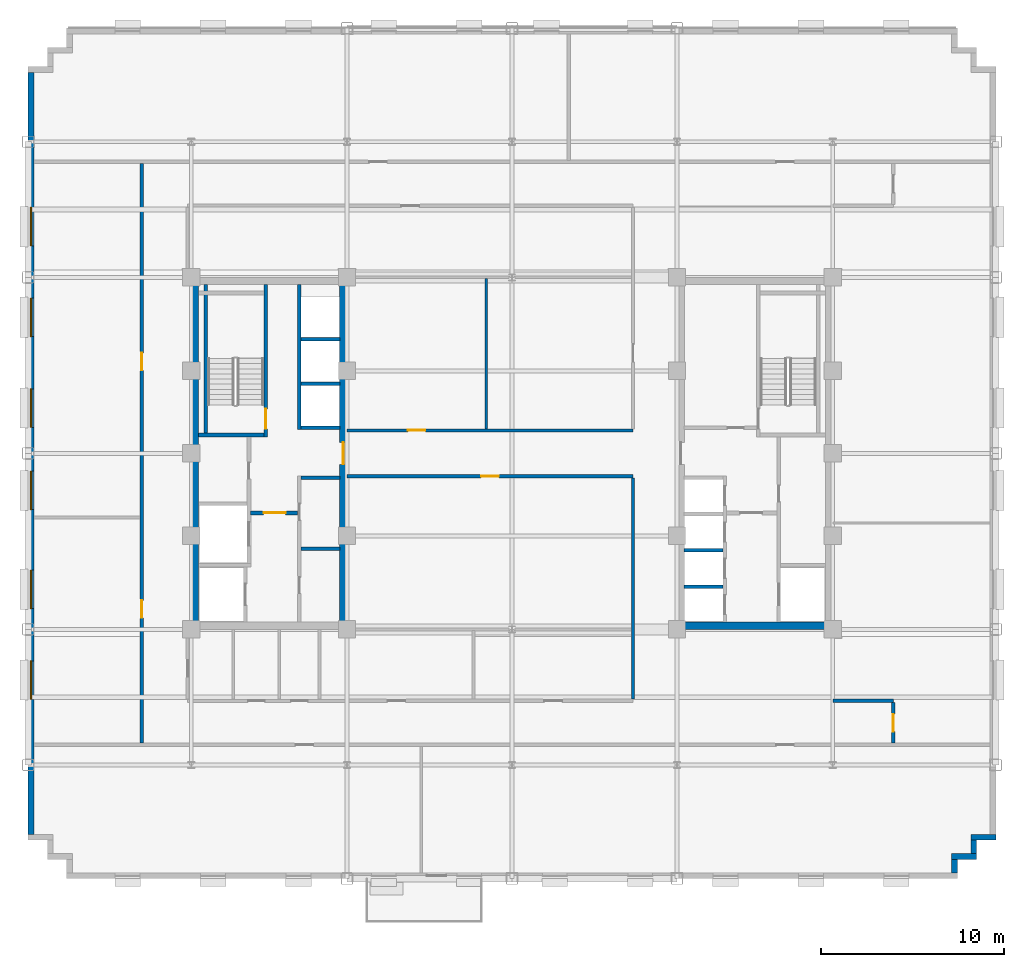
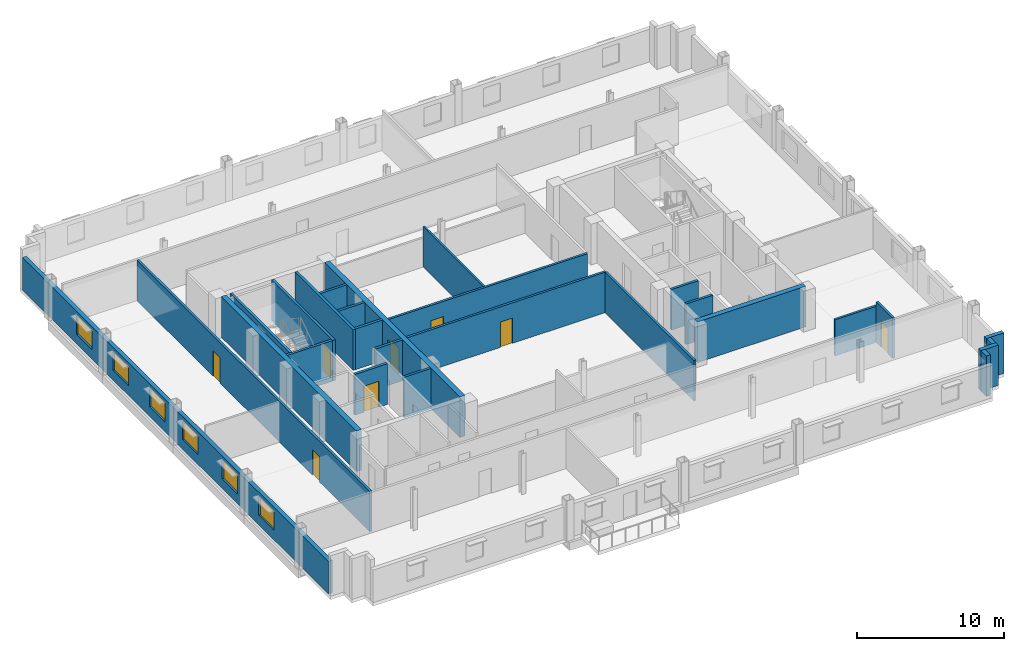
# One storey, part 7 of 14: 27 walls, 8 doors, 6 windows, 14 openings.
"""IFC4 building model written with IfcOpenShell, lengths in metres."""

import ifcopenshell
import ifcopenshell.guid

model = None  # the IFC model being written
_history = None  # IfcOwnerHistory: only IFC2X3 demands one
_inside = {}  # id of a spatial element -> (the spatial element, [elements in it])
_under = {}  # id of a project, library or spatial element -> (it, [spatial elements below it])
_declared = {}  # id of a project -> (the project, [libraries it declares])
_typed = {}  # id of a type object -> (the type object, [elements of that type])
_made_of = {}  # id of a material, layer set ... -> (it, [elements and type objects made of it])


def new_model(schema):
    """Start an empty IFC model of exactly this schema.

    Asked for "IFC4X3", IfcOpenShell would pick the latest addendum, in which some entities
    have other attributes; the version numbers below select the first issue.
    IFC2X3 requires an IfcOwnerHistory on every rooted entity: one is made here for all.
    """
    global model, _history
    if schema == "IFC4X3":
        model = ifcopenshell.file(schema_version=(4, 3, 0, 0))
    else:
        model = ifcopenshell.file(schema=schema)
    _inside.clear()
    _under.clear()
    _declared.clear()
    _typed.clear()
    _made_of.clear()
    _history = None
    if model.schema == "IFC2X3":
        org = make("IfcOrganization", Name="unknown")
        user = make(
            "IfcPersonAndOrganization",
            ThePerson=make("IfcPerson", FamilyName="unknown"),
            TheOrganization=org,
        )
        app = make(
            "IfcApplication",
            ApplicationDeveloper=org,
            Version="unknown",
            ApplicationFullName="unknown",
            ApplicationIdentifier="unknown",
        )
        _history = make(
            "IfcOwnerHistory",
            OwningUser=user,
            OwningApplication=app,
            ChangeAction="ADDED",
            CreationDate=0,
        )
    return model


def make(cls, **values):
    """One entity of the class cls with the attributes given. An attribute that is None is left unset."""
    return model.create_entity(
        cls, **{name: value for name, value in values.items() if value is not None}
    )


def rooted(cls, **values):
    """An entity with a GlobalId (a new one), such as an element, a storey or a relation."""
    return make(cls, GlobalId=ifcopenshell.guid.new(), OwnerHistory=_history, **values)


def si_unit(unit_type, name, prefix=None):
    """IfcSIUnit, for example si_unit("LENGTHUNIT", "METRE", prefix="MILLI")."""
    return make("IfcSIUnit", UnitType=unit_type, Prefix=prefix, Name=name)


def assignment(units):
    """IfcUnitAssignment: the units of a project."""
    return None if units is None else make("IfcUnitAssignment", Units=units)


def point(xyz):
    """IfcCartesianPoint."""
    return None if xyz is None else make("IfcCartesianPoint", Coordinates=xyz)


def direction(xyz):
    """IfcDirection."""
    return None if xyz is None else make("IfcDirection", DirectionRatios=xyz)


def frame(location, z_axis=None, x_axis=None):
    """IfcAxis2Placement3D, a coordinate frame: its origin and axes. An axis left out is left unset."""
    return make(
        "IfcAxis2Placement3D",
        Location=point(location),
        Axis=direction(z_axis),
        RefDirection=direction(x_axis),
    )


def frame_2d(location, x_axis=None):
    """IfcAxis2Placement2D, a coordinate frame in the plane: its origin and x axis."""
    return make(
        "IfcAxis2Placement2D", Location=point(location), RefDirection=direction(x_axis)
    )


def origin():
    """The frame at (0, 0, 0) with its axes left unset."""
    return frame((0.0, 0.0, 0.0))


def place(relative_to, where):
    """IfcLocalPlacement: puts the frame where relative to a parent placement (None: the world)."""
    return make(
        "IfcLocalPlacement", PlacementRelTo=relative_to, RelativePlacement=where
    )


def context(
    kind, dimensions, precision=None, world=None, true_north=None, identifier=None
):
    """IfcGeometricRepresentationContext, for example the 3D "Model" context."""
    return make(
        "IfcGeometricRepresentationContext",
        ContextIdentifier=identifier,
        ContextType=kind,
        CoordinateSpaceDimension=dimensions,
        Precision=precision,
        WorldCoordinateSystem=world,
        TrueNorth=true_north,
    )


def subcontext(parent, identifier, kind, view, scale=None):
    """IfcGeometricRepresentationSubContext, for example "Body" below "Model"."""
    return make(
        "IfcGeometricRepresentationSubContext",
        ContextIdentifier=identifier,
        ContextType=kind,
        ParentContext=parent,
        TargetScale=scale,
        TargetView=view,
    )


def project(units=None, contexts=None):
    """IfcProject with its units and contexts."""
    return rooted(
        "IfcProject",
        Name="project",
        RepresentationContexts=contexts,
        UnitsInContext=assignment(units),
    )


def spatial(cls, under=None, at=None, **own):
    """A site, building, storey or space (cls), placed at a placement, below another one or the project."""
    s = rooted(cls, ObjectPlacement=at, **own)
    if under is not None:
        _under.setdefault(under.id(), (under, []))[1].append(s)
    return s


def profile(cls, at=None, kind="AREA", **sizes):
    """A parametric profile (cls). Its sizes go by their IFC names, for example OverallWidth=200.0."""
    return make(cls, ProfileType=kind, Position=at, **sizes)


def rectangle(**sizes):
    """IfcRectangleProfileDef."""
    return profile("IfcRectangleProfileDef", **sizes)


def extrude(swept, where, along, depth):
    """IfcExtrudedAreaSolid: the profile swept, set in the frame where, extruded along a direction by depth."""
    return make(
        "IfcExtrudedAreaSolid",
        SweptArea=swept,
        Position=where,
        ExtrudedDirection=direction(along),
        Depth=depth,
    )


def shape(context_of_items, identifier, shape_type, items):
    """IfcShapeRepresentation: the items that make up one representation, for example the "Body"."""
    return make(
        "IfcShapeRepresentation",
        ContextOfItems=context_of_items,
        RepresentationIdentifier=identifier,
        RepresentationType=shape_type,
        Items=items,
    )


def source(mapping_origin, context_of_items, identifier, shape_type, items):
    """IfcRepresentationMap: a shape defined once, which mapped items show again and again."""
    return make(
        "IfcRepresentationMap",
        MappingOrigin=mapping_origin,
        MappedRepresentation=shape(context_of_items, identifier, shape_type, items),
    )


def transform(
    local_origin,
    x_axis=None,
    y_axis=None,
    z_axis=None,
    scale=None,
    scale2=None,
    scale3=None,
    uniform=True,
):
    """IfcCartesianTransformationOperator3D, or its non-uniform kind. x_axis, y_axis, z_axis: its Axis1, 2, 3."""
    if uniform:
        return make(
            "IfcCartesianTransformationOperator3D",
            Axis1=direction(x_axis),
            Axis2=direction(y_axis),
            LocalOrigin=point(local_origin),
            Scale=scale,
            Axis3=direction(z_axis),
        )
    return make(
        "IfcCartesianTransformationOperator3DnonUniform",
        Axis1=direction(x_axis),
        Axis2=direction(y_axis),
        LocalOrigin=point(local_origin),
        Scale=scale,
        Axis3=direction(z_axis),
        Scale2=scale2,
        Scale3=scale3,
    )


def mapped(mapping_source, mapping_target):
    """IfcMappedItem: shows the shape of a source again, moved by a transform."""
    return make(
        "IfcMappedItem", MappingSource=mapping_source, MappingTarget=mapping_target
    )


def material(Name=None, Category=None):
    """IfcMaterial."""
    return make("IfcMaterial", Name=Name, Category=Category)


def layer(
    of_material, thickness, ventilated=None, Name=None, Category=None, Priority=None
):
    """IfcMaterialLayer: one layer of a wall or slab, of a material (None: an air gap)."""
    return make(
        "IfcMaterialLayer",
        Material=of_material,
        LayerThickness=thickness,
        IsVentilated=ventilated,
        Name=Name,
        Category=Category,
        Priority=Priority,
    )


def layer_set(layers, Name=None):
    """IfcMaterialLayerSet."""
    return make("IfcMaterialLayerSet", MaterialLayers=layers, LayerSetName=Name)


def made_of(thing, what):
    """Note that an element or type object is made of a material, layer set ...; save() writes the relation."""
    if what is not None:
        _made_of.setdefault(what.id(), (what, []))[1].append(thing)
    return thing


def type_object(cls, material=None, **own):
    """A type object (cls), such as IfcWallType, which elements share."""
    return made_of(rooted(cls, **own), material)


def type_shapes(of_type, sources):
    """Give a type object the sources (RepresentationMaps) that its elements show as mapped items."""
    of_type.RepresentationMaps = sources


def element(
    cls,
    number,
    at=None,
    inside=None,
    cuts=None,
    type_object=None,
    material=None,
    context=None,
    identifier="Body",
    shape_type=None,
    held_by="IfcProductDefinitionShape",
    body=None,
    shapes=None,
    **own,
):
    """One element of the class cls, such as IfcWall. Its Tag is "e" and its number.

    at: its placement. inside: the storey or other place that contains it. cuts: it is an
    opening in that element (IfcRelVoidsElement). A single representation is given by context,
    identifier, shape_type and body (its items); several are given by shapes. held_by: the class
    of the entity that holds the representations. save() writes the other relations.
    """
    e = rooted(cls, Tag="e%d" % number, ObjectPlacement=at, **own)
    if body is not None:
        shapes = [shape(context, identifier, shape_type, body)]
    if shapes is not None:
        e.Representation = make(held_by, Representations=shapes)
    if inside is not None:
        _inside.setdefault(inside.id(), (inside, []))[1].append(e)
    if cuts is not None:
        rooted(
            "IfcRelVoidsElement", RelatingBuildingElement=cuts, RelatedOpeningElement=e
        )
    if type_object is not None:
        _typed.setdefault(type_object.id(), (type_object, []))[1].append(e)
    return made_of(e, material)


def fill(opening, filler):
    """IfcRelFillsElement: the door or window that sits in an opening."""
    return rooted(
        "IfcRelFillsElement",
        RelatingOpeningElement=opening,
        RelatedBuildingElement=filler,
    )


def aggregate(whole, parts):
    """IfcRelAggregates: a whole, such as a stair, and the parts it consists of."""
    return rooted("IfcRelAggregates", RelatingObject=whole, RelatedObjects=parts)


def save(model, path):
    """Write the relations noted so far, then the file.

    IfcRelAggregates (storeys below a building ...), IfcRelContainedInSpatialStructure (elements
    in a storey), IfcRelDefinesByType, IfcRelAssociatesMaterial and IfcRelDeclares: one each for
    every whole, place, type object, material and project.
    """
    for whole, parts in _under.values():
        aggregate(whole, parts)
    for where, things in _inside.values():
        rooted(
            "IfcRelContainedInSpatialStructure",
            RelatedElements=things,
            RelatingStructure=where,
        )
    for kind, things in _typed.values():
        rooted("IfcRelDefinesByType", RelatedObjects=things, RelatingType=kind)
    for what, things in _made_of.values():
        rooted("IfcRelAssociatesMaterial", RelatedObjects=things, RelatingMaterial=what)
    for by, libraries in _declared.values():
        rooted("IfcRelDeclares", RelatingContext=by, RelatedDefinitions=libraries)
    model.write(path)


model = new_model("IFC4")

# Units and contexts
model_context = context("Model", 3, precision=1e-05, world=origin(), true_north=direction((0.0, 1.0)))
body_context = subcontext(model_context, "Body", "Model", "MODEL_VIEW")
ifc_project = project(units=[si_unit("LENGTHUNIT", "METRE"), si_unit("AREAUNIT", "SQUARE_METRE"), si_unit("VOLUMEUNIT", "CUBIC_METRE"), si_unit("PLANEANGLEUNIT", "RADIAN"), si_unit("MASSUNIT", "GRAM", prefix="KILO")], contexts=[model_context])

# Site, building, storey
site_placement = place(None, origin())
site = spatial("IfcSite", under=ifc_project, at=site_placement, CompositionType="ELEMENT")
building_placement = place(site_placement, origin())
building = spatial("IfcBuilding", under=site, at=building_placement, Name="Nuvemarco Arch Tower", CompositionType="ELEMENT")
storey_placement = place(building_placement, frame((0.0, 0.0, 134.800048828125)))
storey = spatial("IfcBuildingStorey", under=building, at=storey_placement, Name="L35", CompositionType="ELEMENT", Elevation=134.800048828125)

# Walls
ifc_material_1 = material(Name="Precast concrete C45/55", Category="concrete")
ifc_layer_1 = layer(ifc_material_1, 0.320068359375, Name="EW-MID-320")
ifc_layer_set_1 = layer_set([ifc_layer_1], Name="Precast concrete C45/55")
wall_type_1 = type_object("IfcWallType", Name="EW-MID-320", PredefinedType="STANDARD", material=ifc_layer_set_1)
wall_1_placement = place(storey_placement, frame((24.139892578125, -22.884033203125, 0.0), z_axis=(0.0, 0.0, 1.0), x_axis=(0.0, 1.0, 0.0)))
element("IfcWall", 1, at=wall_1_placement, inside=storey, type_object=wall_type_1, Name="L35 exterior precast facade wall 2", PredefinedType="STANDARD", context=body_context, shape_type="SweptSolid", body=[
    extrude(rectangle(XDim=0.738037109375, YDim=0.320068359375, at=frame_2d((0.369140625, 0.0))), origin(), (0.0, 0.0, 1.0), 3.35986328125),
])
wall_2_placement = place(storey_placement, frame((23.97998046875, -21.989990234375, 0.0), z_axis=(0.0, 0.0, 1.0), x_axis=(1.0, 0.0, 0.0)))
element("IfcWall", 2, at=wall_2_placement, inside=storey, type_object=wall_type_1, Name="L35 exterior precast facade wall 3", PredefinedType="STANDARD", context=body_context, shape_type="SweptSolid", body=[
    extrude(rectangle(XDim=1.3701171875, YDim=0.320068359375, at=frame_2d((0.68505859375, 0.0))), origin(), (0.0, 0.0, 1.0), 3.35986328125),
])
wall_3_placement = place(storey_placement, frame((25.18994140625, -21.833984375, 0.0), z_axis=(0.0, 0.0, 1.0), x_axis=(0.0, 1.0, 0.0)))
element("IfcWall", 3, at=wall_3_placement, inside=storey, type_object=wall_type_1, Name="L35 exterior precast facade wall 4", PredefinedType="STANDARD", context=body_context, shape_type="SweptSolid", body=[
    extrude(rectangle(XDim=0.738037109375, YDim=0.320068359375, at=frame_2d((0.369140625, 0.0))), origin(), (0.0, 0.0, 1.0), 3.35986328125),
])
wall_4_placement = place(storey_placement, frame((25.030029296875, -20.93994140625, 0.0), z_axis=(0.0, 0.0, 1.0), x_axis=(1.0, 0.0, 0.0)))
element("IfcWall", 4, at=wall_4_placement, inside=storey, type_object=wall_type_1, Name="L35 exterior precast facade wall 5", PredefinedType="STANDARD", context=body_context, shape_type="SweptSolid", body=[
    extrude(rectangle(XDim=1.369873046875, YDim=0.320068359375, at=frame_2d((0.68505859375, 0.0))), origin(), (0.0, 0.0, 1.0), 3.35986328125),
])

# Wall, openings, windows
wall_5_placement = place(storey_placement, frame((-26.239990234375, -20.783935546875, 0.0), z_axis=(0.0, 0.0, 1.0), x_axis=(0.0, 1.0, 0.0)))
wall_5 = element("IfcWall", 5, at=wall_5_placement, inside=storey, type_object=wall_type_1, Name="L35 exterior precast facade wall 16", PredefinedType="STANDARD", context=body_context, shape_type="SweptSolid", body=[
    extrude(rectangle(XDim=41.56787109375, YDim=0.320068359375, at=frame_2d((20.783935546875, 0.0))), origin(), (0.0, 0.0, 1.0), 2.704833984375),
])
opening_1_placement = place(wall_5_placement, frame((7.368896484375, 0.0, 0.800048828125)))
opening_1 = element("IfcOpeningElement", 6, at=opening_1_placement, cuts=wall_5, Name="Opening WN-5", PredefinedType="OPENING", context=body_context, shape_type="SweptSolid", body=[
    extrude(rectangle(XDim=2.10009765625, YDim=1.56005859375, at=frame_2d((1.050048828125, 0.780029296875))), frame((0.0, 0.169921875, 0.0), z_axis=(0.0, -1.0, 0.0), x_axis=(1.0, 0.0, 0.0)), (0.0, 0.0, 1.0), 0.340087890625),
])
opening_2_placement = place(wall_5_placement, frame((12.31494140625, 0.0, 0.800048828125)))
opening_2 = element("IfcOpeningElement", 7, at=opening_2_placement, cuts=wall_5, Name="Opening WN-5", PredefinedType="OPENING", context=body_context, shape_type="SweptSolid", body=[
    extrude(rectangle(XDim=2.10009765625, YDim=1.56005859375, at=frame_2d((1.050048828125, 0.780029296875))), frame((0.0, 0.169921875, 0.0), z_axis=(0.0, -1.0, 0.0), x_axis=(1.0, 0.0, 0.0)), (0.0, 0.0, 1.0), 0.340087890625),
])
opening_3_placement = place(wall_5_placement, frame((17.7109375, 0.0, 0.800048828125)))
opening_3 = element("IfcOpeningElement", 8, at=opening_3_placement, cuts=wall_5, Name="Opening WN-5", PredefinedType="OPENING", context=body_context, shape_type="SweptSolid", body=[
    extrude(rectangle(XDim=2.10009765625, YDim=1.56005859375, at=frame_2d((1.050048828125, 0.780029296875))), frame((0.0, 0.169921875, 0.0), z_axis=(0.0, -1.0, 0.0), x_axis=(1.0, 0.0, 0.0)), (0.0, 0.0, 1.0), 0.340087890625),
])
opening_4_placement = place(wall_5_placement, frame((22.20703125, 0.0, 0.800048828125)))
opening_4 = element("IfcOpeningElement", 9, at=opening_4_placement, cuts=wall_5, Name="Opening WN-5", PredefinedType="OPENING", context=body_context, shape_type="SweptSolid", body=[
    extrude(rectangle(XDim=2.10009765625, YDim=1.56005859375, at=frame_2d((1.050048828125, 0.780029296875))), frame((0.0, 0.169921875, 0.0), z_axis=(0.0, -1.0, 0.0), x_axis=(1.0, 0.0, 0.0)), (0.0, 0.0, 1.0), 0.340087890625),
])
opening_5_placement = place(wall_5_placement, frame((27.153076171875, 0.0, 0.800048828125)))
opening_5 = element("IfcOpeningElement", 10, at=opening_5_placement, cuts=wall_5, Name="Opening WN-5", PredefinedType="OPENING", context=body_context, shape_type="SweptSolid", body=[
    extrude(rectangle(XDim=2.10009765625, YDim=1.56005859375, at=frame_2d((1.050048828125, 0.780029296875))), frame((0.0, 0.169921875, 0.0), z_axis=(0.0, -1.0, 0.0), x_axis=(1.0, 0.0, 0.0)), (0.0, 0.0, 1.0), 0.340087890625),
])
opening_6_placement = place(wall_5_placement, frame((32.09912109375, 0.0, 0.800048828125)))
opening_6 = element("IfcOpeningElement", 11, at=opening_6_placement, cuts=wall_5, Name="Opening WN-5", PredefinedType="OPENING", context=body_context, shape_type="SweptSolid", body=[
    extrude(rectangle(XDim=2.10009765625, YDim=1.56005859375, at=frame_2d((1.050048828125, 0.780029296875))), frame((0.0, 0.169921875, 0.0), z_axis=(0.0, -1.0, 0.0), x_axis=(1.0, 0.0, 0.0)), (0.0, 0.0, 1.0), 0.340087890625),
])
ifc_material_2 = material(Name="Insulated solar-control glass", Category="glass")
window_type = type_object("IfcWindowType", Name="WN-MID-2100x1560", PartitioningType="DOUBLE_PANEL_VERTICAL", PredefinedType="WINDOW", material=ifc_material_2)
shared_shape_1 = source(origin(), body_context, "Body", "SweptSolid", [
    extrude(rectangle(XDim=2.10009765625, YDim=1.56005859375, at=frame_2d((1.050048828125, 0.780029296875))), frame((0.0, 0.030029296875, 0.0), z_axis=(0.0, -1.0, 0.0), x_axis=(1.0, 0.0, 0.0)), (0.0, 0.0, 1.0), 0.06005859375),
])
type_shapes(window_type, [shared_shape_1])
window_1_placement = place(opening_1_placement, origin())
window_1 = element("IfcWindow", 12, at=window_1_placement, inside=storey, type_object=window_type, Name="L35 punched facade window 2", OverallHeight=1.56005859375, OverallWidth=2.10009765625, PartitioningType="SINGLE_PANEL", PredefinedType="WINDOW", context=body_context, shape_type="MappedRepresentation", body=[
    mapped(shared_shape_1, transform((0.0, 0.0, 0.0), scale=1.0)),
])
fill(opening_1, window_1)
window_2_placement = place(opening_2_placement, origin())
window_2 = element("IfcWindow", 13, at=window_2_placement, inside=storey, type_object=window_type, Name="L35 punched facade window 3", OverallHeight=1.56005859375, OverallWidth=2.10009765625, PartitioningType="SINGLE_PANEL", PredefinedType="WINDOW", context=body_context, shape_type="MappedRepresentation", body=[
    mapped(shared_shape_1, transform((0.0, 0.0, 0.0), scale=1.0)),
])
fill(opening_2, window_2)
window_3_placement = place(opening_3_placement, origin())
window_3 = element("IfcWindow", 14, at=window_3_placement, inside=storey, type_object=window_type, Name="L35 punched facade window 4", OverallHeight=1.56005859375, OverallWidth=2.10009765625, PartitioningType="SINGLE_PANEL", PredefinedType="WINDOW", context=body_context, shape_type="MappedRepresentation", body=[
    mapped(shared_shape_1, transform((0.0, 0.0, 0.0), scale=1.0)),
])
fill(opening_3, window_3)
window_4_placement = place(opening_4_placement, origin())
window_4 = element("IfcWindow", 15, at=window_4_placement, inside=storey, type_object=window_type, Name="L35 punched facade window 5", OverallHeight=1.56005859375, OverallWidth=2.10009765625, PartitioningType="SINGLE_PANEL", PredefinedType="WINDOW", context=body_context, shape_type="MappedRepresentation", body=[
    mapped(shared_shape_1, transform((0.0, 0.0, 0.0), scale=1.0)),
])
fill(opening_4, window_4)
window_5_placement = place(opening_5_placement, origin())
window_5 = element("IfcWindow", 16, at=window_5_placement, inside=storey, type_object=window_type, Name="L35 punched facade window 6", OverallHeight=1.56005859375, OverallWidth=2.10009765625, PartitioningType="SINGLE_PANEL", PredefinedType="WINDOW", context=body_context, shape_type="MappedRepresentation", body=[
    mapped(shared_shape_1, transform((0.0, 0.0, 0.0), scale=1.0)),
])
fill(opening_5, window_5)
window_6_placement = place(opening_6_placement, origin())
window_6 = element("IfcWindow", 17, at=window_6_placement, inside=storey, type_object=window_type, Name="L35 punched facade window 7", OverallHeight=1.56005859375, OverallWidth=2.10009765625, PartitioningType="SINGLE_PANEL", PredefinedType="WINDOW", context=body_context, shape_type="MappedRepresentation", body=[
    mapped(shared_shape_1, transform((0.0, 0.0, 0.0), scale=1.0)),
])
fill(opening_6, window_6)

# Wall
ifc_material_3 = material(Name="Concrete C60/75", Category="concrete")
ifc_layer_2 = layer(ifc_material_3, 0.39990234375, Name="WL-CORE-400")
ifc_layer_set_2 = layer_set([ifc_layer_2], Name="Concrete C60/75")
wall_type_2 = type_object("IfcWallType", Name="WL-CORE-400", PredefinedType="SHEAR", material=ifc_layer_set_2)
wall_6_placement = place(storey_placement, frame((-17.300048828125, -9.205078125, 0.0), z_axis=(0.0, 0.0, 1.0), x_axis=(0.0, 1.0, 0.0)))
element("IfcWall", 18, at=wall_6_placement, inside=storey, type_object=wall_type_2, Name="L35 W-core shear wall W", PredefinedType="SHEAR", context=body_context, shape_type="SweptSolid", body=[
    extrude(rectangle(XDim=18.41015625, YDim=0.39990234375, at=frame_2d((9.205078125, 0.0))), origin(), (0.0, 0.0, 1.0), 3.369873046875),
])

# Wall, opening, door
wall_7_placement = place(storey_placement, frame((-9.199951171875, -9.205078125, 0.0), z_axis=(0.0, 0.0, 1.0), x_axis=(0.0, 1.0, 0.0)))
wall_7 = element("IfcWall", 19, at=wall_7_placement, inside=storey, type_object=wall_type_2, Name="L35 W-core shear wall E", PredefinedType="SHEAR", context=body_context, shape_type="SweptSolid", body=[
    extrude(rectangle(XDim=18.41015625, YDim=0.39990234375, at=frame_2d((9.205078125, 0.0))), origin(), (0.0, 0.0, 1.0), 3.369873046875),
])
opening_7_placement = place(wall_7_placement, frame((8.60498046875, 0.0, 0.0)))
opening_7 = element("IfcOpeningElement", 20, at=opening_7_placement, cuts=wall_7, Name="Opening FD-2", PredefinedType="OPENING", context=body_context, shape_type="SweptSolid", body=[
    extrude(rectangle(XDim=1.199951171875, YDim=2.14990234375, at=frame_2d((0.60009765625, 1.074951171875))), frame((0.0, 0.2099609375, 0.0), z_axis=(0.0, -1.0, 0.0), x_axis=(1.0, 0.0, 0.0)), (0.0, 0.0, 1.0), 0.419921875),
])
ifc_material_4 = material(Name="Anodised steel fire door", Category="steel")
door_type_1 = type_object("IfcDoorType", Name="DR-FFLOB-FD", OperationType="NOTDEFINED", PredefinedType="DOOR", material=ifc_material_4)
shared_shape_2 = source(origin(), body_context, "Body", "SweptSolid", [
    extrude(rectangle(XDim=1.199951171875, YDim=2.14990234375, at=frame_2d((0.60009765625, 1.074951171875))), frame((0.0, 0.02490234375, 0.0), z_axis=(0.0, -1.0, 0.0), x_axis=(1.0, 0.0, 0.0)), (0.0, 0.0, 1.0), 0.050048828125),
])
type_shapes(door_type_1, [shared_shape_2])
door_1_placement = place(opening_7_placement, origin())
door_1 = element("IfcDoor", 21, at=door_1_placement, inside=storey, type_object=door_type_1, Name="L35 door FD-L35-WCORE-E", OperationType="SINGLE_SWING_LEFT", OverallHeight=2.14990234375, OverallWidth=1.199951171875, PredefinedType="DOOR", context=body_context, shape_type="MappedRepresentation", body=[
    mapped(shared_shape_2, transform((0.0, 0.0, 0.0), scale=1.0)),
])
fill(opening_7, door_1)

# Walls
wall_8_placement = place(storey_placement, frame((9.0, -9.39990234375, 0.0), z_axis=(0.0, 0.0, 1.0), x_axis=(1.0, 0.0, 0.0)))
element("IfcWall", 22, at=wall_8_placement, inside=storey, type_object=wall_type_2, Name="L35 E-core shear wall S", PredefinedType="SHEAR", context=body_context, shape_type="SweptSolid", body=[
    extrude(rectangle(XDim=8.5, YDim=0.39990234375, at=frame_2d((4.25, 0.0))), origin(), (0.0, 0.0, 1.0), 3.369873046875),
])
ifc_material_5 = material(Name="Fire-rated gypsum drywall partition")
ifc_layer_3 = layer(ifc_material_5, 0.179931640625, Name="WL-CORR-180")
ifc_layer_set_3 = layer_set([ifc_layer_3], Name="Fire-rated gypsum drywall partition")
wall_type_3 = type_object("IfcWallType", Name="WL-CORR-180", PredefinedType="PARTITIONING", material=ifc_layer_set_3)
wall_9_placement = place(storey_placement, frame((-11.5048828125, -5.199951171875, 0.0), z_axis=(0.0, 0.0, 1.0), x_axis=(1.0, 0.0, 0.0)))
element("IfcWall", 23, at=wall_9_placement, inside=storey, type_object=wall_type_3, Name="L35 interior wall IW-L35-W-RECK1", PredefinedType="PARTITIONING", context=body_context, shape_type="SweptSolid", body=[
    extrude(rectangle(XDim=2.10986328125, YDim=0.179931640625, at=frame_2d((1.054931640625, 0.0))), origin(), (0.0, 0.0, 1.0), 3.35986328125),
])
wall_10_placement = place(storey_placement, frame((17.5, -13.5, 0.0), z_axis=(0.0, 0.0, 1.0), x_axis=(1.0, 0.0, 0.0)))
element("IfcWall", 24, at=wall_10_placement, inside=storey, type_object=wall_type_3, Name="L35 interior wall IW-L35-003", PredefinedType="PARTITIONING", context=body_context, shape_type="SweptSolid", body=[
    extrude(rectangle(XDim=3.300048828125, YDim=0.179931640625, at=frame_2d((1.64990234375, 0.0))), origin(), (0.0, 0.0, 1.0), 2.998046875),
])

# Wall, opening, door
wall_11_placement = place(storey_placement, frame((-9.0, -1.25, 0.0), z_axis=(0.0, 0.0, 1.0), x_axis=(1.0, 0.0, 0.0)))
wall_11 = element("IfcWall", 25, at=wall_11_placement, inside=storey, type_object=wall_type_3, Name="L35 interior wall IW-L35-008", PredefinedType="PARTITIONING", context=body_context, shape_type="SweptSolid", body=[
    extrude(rectangle(XDim=15.60009765625, YDim=0.179931640625, at=frame_2d((7.800048828125, 0.0))), origin(), (0.0, 0.0, 1.0), 3.35986328125),
])
opening_8_placement = place(wall_11_placement, frame((7.320068359375, 0.0, 0.0)))
opening_8 = element("IfcOpeningElement", 26, at=opening_8_placement, cuts=wall_11, Name="Opening FD-5", PredefinedType="OPENING", context=body_context, shape_type="SweptSolid", body=[
    extrude(rectangle(XDim=0.9599609375, YDim=2.10009765625, at=frame_2d((0.47998046875, 1.050048828125))), frame((0.0, 0.099853515625, 0.0), z_axis=(0.0, -1.0, 0.0), x_axis=(1.0, 0.0, 0.0)), (0.0, 0.0, 1.0), 0.199951171875),
])
ifc_material_6 = material(Name="Timber fire door", Category="wood")
door_type_2 = type_object("IfcDoorType", Name="DR-CORR-FD", OperationType="NOTDEFINED", PredefinedType="DOOR", material=ifc_material_6)
shared_shape_3 = source(origin(), body_context, "Body", "SweptSolid", [
    extrude(rectangle(XDim=0.9599609375, YDim=2.10009765625, at=frame_2d((0.47998046875, 1.050048828125))), frame((0.0, 0.02490234375, 0.0), z_axis=(0.0, -1.0, 0.0), x_axis=(1.0, 0.0, 0.0)), (0.0, 0.0, 1.0), 0.050048828125),
])
type_shapes(door_type_2, [shared_shape_3])
door_2_placement = place(opening_8_placement, origin())
door_2 = element("IfcDoor", 27, at=door_2_placement, inside=storey, type_object=door_type_2, Name="L35 door DR-L35-C_S1", OperationType="SINGLE_SWING_LEFT", OverallHeight=2.10009765625, OverallWidth=0.9599609375, PredefinedType="DOOR", context=body_context, shape_type="MappedRepresentation", body=[
    mapped(shared_shape_3, transform((0.0, 0.0, 0.0), scale=1.0)),
])
fill(opening_8, door_2)

wall_12_placement = place(storey_placement, frame((-9.0, 1.25, 0.0), z_axis=(0.0, 0.0, 1.0), x_axis=(1.0, 0.0, 0.0)))
wall_12 = element("IfcWall", 28, at=wall_12_placement, inside=storey, type_object=wall_type_3, Name="L35 interior wall IW-L35-009", PredefinedType="PARTITIONING", context=body_context, shape_type="SweptSolid", body=[
    extrude(rectangle(XDim=15.60009765625, YDim=0.179931640625, at=frame_2d((7.800048828125, 0.0))), origin(), (0.0, 0.0, 1.0), 3.35986328125),
])
opening_9_placement = place(wall_12_placement, frame((3.320068359375, 0.0, 0.0)))
opening_9 = element("IfcOpeningElement", 29, at=opening_9_placement, cuts=wall_12, Name="Opening FD-5", PredefinedType="OPENING", context=body_context, shape_type="SweptSolid", body=[
    extrude(rectangle(XDim=0.9599609375, YDim=2.10009765625, at=frame_2d((0.47998046875, 1.050048828125))), frame((0.0, 0.099853515625, 0.0), z_axis=(0.0, -1.0, 0.0), x_axis=(1.0, 0.0, 0.0)), (0.0, 0.0, 1.0), 0.199951171875),
])
door_3_placement = place(opening_9_placement, origin())
door_3 = element("IfcDoor", 30, at=door_3_placement, inside=storey, type_object=door_type_2, Name="L35 door DR-L35-C_N1", OperationType="SINGLE_SWING_LEFT", OverallHeight=2.10009765625, OverallWidth=0.9599609375, PredefinedType="DOOR", context=body_context, shape_type="MappedRepresentation", body=[
    mapped(shared_shape_3, transform((0.0, 0.0, 0.0), scale=1.0)),
])
fill(opening_9, door_3)

# Wall, openings, doors
wall_13_placement = place(storey_placement, frame((-20.199951171875, -15.81396484375, 0.0), z_axis=(0.0, 0.0, 1.0), x_axis=(0.0, 1.0, 0.0)))
wall_13 = element("IfcWall", 31, at=wall_13_placement, inside=storey, type_object=wall_type_3, Name="L35 interior wall IW-L35-015", PredefinedType="PARTITIONING", context=body_context, shape_type="SweptSolid", body=[
    extrude(rectangle(XDim=31.6279296875, YDim=0.179931640625, at=frame_2d((15.81396484375, 0.0))), origin(), (0.0, 0.0, 1.0), 3.35986328125),
])
opening_10_placement = place(wall_13_placement, frame((20.333984375, 0.0, 0.0)))
opening_10 = element("IfcOpeningElement", 32, at=opening_10_placement, cuts=wall_13, Name="Opening FD-5", PredefinedType="OPENING", context=body_context, shape_type="SweptSolid", body=[
    extrude(rectangle(XDim=0.9599609375, YDim=2.10009765625, at=frame_2d((0.47998046875, 1.050048828125))), frame((0.0, 0.099853515625, 0.0), z_axis=(0.0, -1.0, 0.0), x_axis=(1.0, 0.0, 0.0)), (0.0, 0.0, 1.0), 0.199951171875),
])
opening_11_placement = place(wall_13_placement, frame((6.833984375, 0.0, 0.0)))
opening_11 = element("IfcOpeningElement", 33, at=opening_11_placement, cuts=wall_13, Name="Opening FD-5", PredefinedType="OPENING", context=body_context, shape_type="SweptSolid", body=[
    extrude(rectangle(XDim=0.9599609375, YDim=2.10009765625, at=frame_2d((0.47998046875, 1.050048828125))), frame((0.0, 0.099853515625, 0.0), z_axis=(0.0, -1.0, 0.0), x_axis=(1.0, 0.0, 0.0)), (0.0, 0.0, 1.0), 0.199951171875),
])
door_4_placement = place(opening_10_placement, origin())
door_4 = element("IfcDoor", 34, at=door_4_placement, inside=storey, type_object=door_type_2, Name="L35 door DR-L35-W_2", OperationType="SINGLE_SWING_RIGHT", OverallHeight=2.10009765625, OverallWidth=0.9599609375, PredefinedType="DOOR", context=body_context, shape_type="MappedRepresentation", body=[
    mapped(shared_shape_3, transform((0.0, 0.0, 0.0), scale=1.0)),
])
fill(opening_10, door_4)
door_5_placement = place(opening_11_placement, origin())
door_5 = element("IfcDoor", 35, at=door_5_placement, inside=storey, type_object=door_type_2, Name="L35 door DR-L35-W_1", OperationType="SINGLE_SWING_LEFT", OverallHeight=2.10009765625, OverallWidth=0.9599609375, PredefinedType="DOOR", context=body_context, shape_type="MappedRepresentation", body=[
    mapped(shared_shape_3, transform((0.0, 0.0, 0.0), scale=1.0)),
])
fill(opening_11, door_5)

# Wall
wall_14_placement = place(storey_placement, frame((6.60009765625, -13.4140625, 0.0), z_axis=(0.0, 0.0, 1.0), x_axis=(0.0, 1.0, 0.0)))
element("IfcWall", 36, at=wall_14_placement, inside=storey, type_object=wall_type_3, Name="L35 interior wall IW-L35-025", PredefinedType="PARTITIONING", context=body_context, shape_type="SweptSolid", body=[
    extrude(rectangle(XDim=12.078125, YDim=0.179931640625, at=frame_2d((6.0390625, 0.0))), origin(), (0.0, 0.0, 1.0), 3.35986328125),
])

# Wall, opening, door
wall_15_placement = place(storey_placement, frame((20.800048828125, -15.81396484375, 0.0), z_axis=(0.0, 0.0, 1.0), x_axis=(0.0, 1.0, 0.0)))
wall_15 = element("IfcWall", 37, at=wall_15_placement, inside=storey, type_object=wall_type_3, Name="L35 interior wall IW-L35-027", PredefinedType="PARTITIONING", context=body_context, shape_type="SweptSolid", body=[
    extrude(rectangle(XDim=2.22802734375, YDim=0.179931640625, at=frame_2d((1.114013671875, 0.0))), origin(), (0.0, 0.0, 1.0), 3.35986328125),
])
opening_12_placement = place(wall_15_placement, frame((0.634033203125, 0.0, 0.0)))
opening_12 = element("IfcOpeningElement", 38, at=opening_12_placement, cuts=wall_15, Name="Opening FD-5", PredefinedType="OPENING", context=body_context, shape_type="SweptSolid", body=[
    extrude(rectangle(XDim=0.9599609375, YDim=2.10009765625, at=frame_2d((0.47998046875, 1.050048828125))), frame((0.0, 0.099853515625, 0.0), z_axis=(0.0, -1.0, 0.0), x_axis=(1.0, 0.0, 0.0)), (0.0, 0.0, 1.0), 0.199951171875),
])
door_6_placement = place(opening_12_placement, origin())
door_6 = element("IfcDoor", 39, at=door_6_placement, inside=storey, type_object=door_type_2, Name="L35 door DR-L35-E_1", OperationType="SINGLE_SWING_RIGHT", OverallHeight=2.10009765625, OverallWidth=0.9599609375, PredefinedType="DOOR", context=body_context, shape_type="MappedRepresentation", body=[
    mapped(shared_shape_3, transform((0.0, 0.0, 0.0), scale=1.0)),
])
fill(opening_12, door_6)

# Wall
ifc_material_7 = material(Name="Gypsum plasterboard partition")
ifc_layer_4 = layer(ifc_material_7, 0.139892578125, Name="WL-ROOM-140")
ifc_layer_set_4 = layer_set([ifc_layer_4], Name="Gypsum plasterboard partition")
wall_type_4 = type_object("IfcWallType", Name="WL-ROOM-140", PredefinedType="PARTITIONING", material=ifc_layer_set_4)
wall_16_placement = place(storey_placement, frame((-1.39990234375, 1.3359375, 0.0), z_axis=(0.0, 0.0, 1.0), x_axis=(0.0, 1.0, 0.0)))
element("IfcWall", 40, at=wall_16_placement, inside=storey, type_object=wall_type_4, Name="L35 interior wall IW-L35-023", PredefinedType="PARTITIONING", context=body_context, shape_type="SweptSolid", body=[
    extrude(rectangle(XDim=8.197998046875, YDim=0.139892578125, at=frame_2d((4.09912109375, 0.0))), origin(), (0.0, 0.0, 1.0), 3.35986328125),
])

# Wall, opening, door
ifc_material_8 = material(Name="Concrete C50/60", Category="concrete")
ifc_layer_5 = layer(ifc_material_8, 0.199951171875, Name="WL-SHAFT-220")
ifc_layer_set_5 = layer_set([ifc_layer_5], Name="Concrete C50/60")
wall_type_5 = type_object("IfcWallType", Name="WL-SHAFT-220", PredefinedType="SHEAR", material=ifc_layer_set_5)
wall_17_placement = place(storey_placement, frame((-13.43994140625, 0.89990234375, 0.0), z_axis=(0.0, 0.0, 1.0), x_axis=(0.0, 1.0, 0.0)))
wall_17 = element("IfcWall", 41, at=wall_17_placement, inside=storey, type_object=wall_type_5, Name="L35 structural shaft wall SW-L35-W-ST1E", PredefinedType="SHEAR", context=body_context, shape_type="SweptSolid", body=[
    extrude(rectangle(XDim=8.30517578125, YDim=0.199951171875, at=frame_2d((4.152587890625, 0.0))), origin(), (0.0, 0.0, 1.0), 3.369873046875),
])
opening_13_placement = place(wall_17_placement, frame((1.530029296875, 0.0, 0.0), z_axis=(0.0, 0.0, 1.0), x_axis=(-1.0, 0.0, 0.0)))
opening_13 = element("IfcOpeningElement", 42, at=opening_13_placement, cuts=wall_17, Name="Opening FD-1", PredefinedType="OPENING", context=body_context, shape_type="SweptSolid", body=[
    extrude(rectangle(XDim=1.10009765625, YDim=2.14990234375, at=frame_2d((0.550048828125, 1.074951171875))), frame((0.0, 0.10986328125, 0.0), z_axis=(0.0, -1.0, 0.0), x_axis=(1.0, 0.0, 0.0)), (0.0, 0.0, 1.0), 0.219970703125),
])
door_type_3 = type_object("IfcDoorType", Name="DR-STAIR-FD", OperationType="NOTDEFINED", PredefinedType="DOOR", material=ifc_material_4)
shared_shape_4 = source(origin(), body_context, "Body", "SweptSolid", [
    extrude(rectangle(XDim=1.10009765625, YDim=2.14990234375, at=frame_2d((0.550048828125, 1.074951171875))), frame((0.0, 0.02490234375, 0.0), z_axis=(0.0, -1.0, 0.0), x_axis=(1.0, 0.0, 0.0)), (0.0, 0.0, 1.0), 0.050048828125),
])
type_shapes(door_type_3, [shared_shape_4])
door_7_placement = place(opening_13_placement, origin())
door_7 = element("IfcDoor", 43, at=door_7_placement, inside=storey, type_object=door_type_3, Name="L35 door FD-L35-ST1", OperationType="SINGLE_SWING_LEFT", OverallHeight=2.14990234375, OverallWidth=1.10009765625, PredefinedType="DOOR", context=body_context, shape_type="MappedRepresentation", body=[
    mapped(shared_shape_4, transform((0.0, 0.0, 0.0), scale=1.0)),
])
fill(opening_13, door_7)

# Walls
wall_18_placement = place(storey_placement, frame((-17.10498046875, 1.0, 0.0), z_axis=(0.0, 0.0, 1.0), x_axis=(1.0, 0.0, 0.0)))
element("IfcWall", 44, at=wall_18_placement, inside=storey, type_object=wall_type_5, Name="L35 structural shaft wall SW-L35-W-ST1S", PredefinedType="SHEAR", context=body_context, shape_type="SweptSolid", body=[
    extrude(rectangle(XDim=3.570068359375, YDim=0.199951171875, at=frame_2d((1.78515625, 0.0))), origin(), (0.0, 0.0, 1.0), 3.369873046875),
])
wall_19_placement = place(storey_placement, frame((-16.699951171875, 1.094970703125, 0.0), z_axis=(0.0, 0.0, 1.0), x_axis=(0.0, 1.0, 0.0)))
element("IfcWall", 45, at=wall_19_placement, inside=storey, type_object=wall_type_5, Name="L35 structural shaft wall SW-L35-W-ST1W", PredefinedType="SHEAR", context=body_context, shape_type="SweptSolid", body=[
    extrude(rectangle(XDim=8.110107421875, YDim=0.199951171875, at=frame_2d((4.05517578125, 0.0))), origin(), (0.0, 0.0, 1.0), 3.369873046875),
])

# Wall, opening, door
wall_20_placement = place(storey_placement, frame((-14.2548828125, -3.25, 0.0), z_axis=(0.0, 0.0, 1.0), x_axis=(1.0, 0.0, 0.0)))
wall_20 = element("IfcWall", 46, at=wall_20_placement, inside=storey, type_object=wall_type_5, Name="L35 structural shaft wall SW-L35-W-FFN", PredefinedType="SHEAR", context=body_context, shape_type="SweptSolid", body=[
    extrude(rectangle(XDim=2.559814453125, YDim=0.199951171875, at=frame_2d((1.27978515625, 0.0))), origin(), (0.0, 0.0, 1.0), 3.369873046875),
])
opening_14_placement = place(wall_20_placement, frame((0.705078125, 0.0, 0.0)))
opening_14 = element("IfcOpeningElement", 47, at=opening_14_placement, cuts=wall_20, Name="Opening FD-2", PredefinedType="OPENING", context=body_context, shape_type="SweptSolid", body=[
    extrude(rectangle(XDim=1.199951171875, YDim=2.14990234375, at=frame_2d((0.60009765625, 1.074951171875))), frame((0.0, 0.10986328125, 0.0), z_axis=(0.0, -1.0, 0.0), x_axis=(1.0, 0.0, 0.0)), (0.0, 0.0, 1.0), 0.219970703125),
])
door_8_placement = place(opening_14_placement, origin())
door_8 = element("IfcDoor", 48, at=door_8_placement, inside=storey, type_object=door_type_1, Name="L35 door FD-L35-WFF1", OperationType="SINGLE_SWING_LEFT", OverallHeight=2.14990234375, OverallWidth=1.199951171875, PredefinedType="DOOR", context=body_context, shape_type="MappedRepresentation", body=[
    mapped(shared_shape_2, transform((0.0, 0.0, 0.0), scale=1.0)),
])
fill(opening_14, door_8)

# Walls
wall_21_placement = place(storey_placement, frame((-11.5048828125, -1.330078125, 0.0), z_axis=(0.0, 0.0, 1.0), x_axis=(1.0, 0.0, 0.0)))
element("IfcWall", 49, at=wall_21_placement, inside=storey, type_object=wall_type_5, Name="L35 structural shaft wall SW-L35-W-PLTOP", PredefinedType="SHEAR", context=body_context, shape_type="SweptSolid", body=[
    extrude(rectangle(XDim=2.10986328125, YDim=0.199951171875, at=frame_2d((1.054931640625, 0.0))), origin(), (0.0, 0.0, 1.0), 3.369873046875),
])
wall_22_placement = place(storey_placement, frame((-11.60009765625, 1.300048828125, 0.0), z_axis=(0.0, 0.0, 1.0), x_axis=(0.0, 1.0, 0.0)))
element("IfcWall", 50, at=wall_22_placement, inside=storey, type_object=wall_type_5, Name="L35 structural shaft wall SW-L35-W-PHW", PredefinedType="SHEAR", context=body_context, shape_type="SweptSolid", body=[
    extrude(rectangle(XDim=7.905029296875, YDim=0.199951171875, at=frame_2d((3.95263671875, 0.0))), origin(), (0.0, 0.0, 1.0), 3.369873046875),
])
for number, where, z_axis, x_axis, name in (
    (51, (-11.5048828125, 1.39990234375, 0.0), (0.0, 0.0, 1.0), (1.0, 0.0, 0.0), "L35 structural shaft wall SW-L35-W-PHD1"),
    (52, (-11.5048828125, 3.800048828125, 0.0), (0.0, 0.0, 1.0), (1.0, 0.0, 0.0), "L35 structural shaft wall SW-L35-W-PHD2"),
    (53, (-11.5048828125, 6.219970703125, 0.0), (0.0, 0.0, 1.0), (1.0, 0.0, 0.0), "L35 structural shaft wall SW-L35-W-PHD3"),
    (54, (9.39501953125, -7.27001953125, 0.0), (0.0, 0.0, 1.0), (1.0, 0.0, 0.0), "L35 structural shaft wall SW-L35-E-PMD1"),
    (55, (9.39501953125, -5.2900390625, 0.0), (0.0, 0.0, 1.0), (1.0, 0.0, 0.0), "L35 structural shaft wall SW-L35-E-PMD2"),
):
    element("IfcWall", number, at=place(storey_placement, frame(where, z_axis=z_axis, x_axis=x_axis)), inside=storey, type_object=wall_type_5, Name=name, PredefinedType="SHEAR", context=body_context, shape_type="SweptSolid", body=[
        extrude(rectangle(XDim=2.10986328125, YDim=0.199951171875, at=frame_2d((1.054931640625, 0.0))), origin(), (0.0, 0.0, 1.0), 3.369873046875),
    ])

save(model, "model.ifc")
